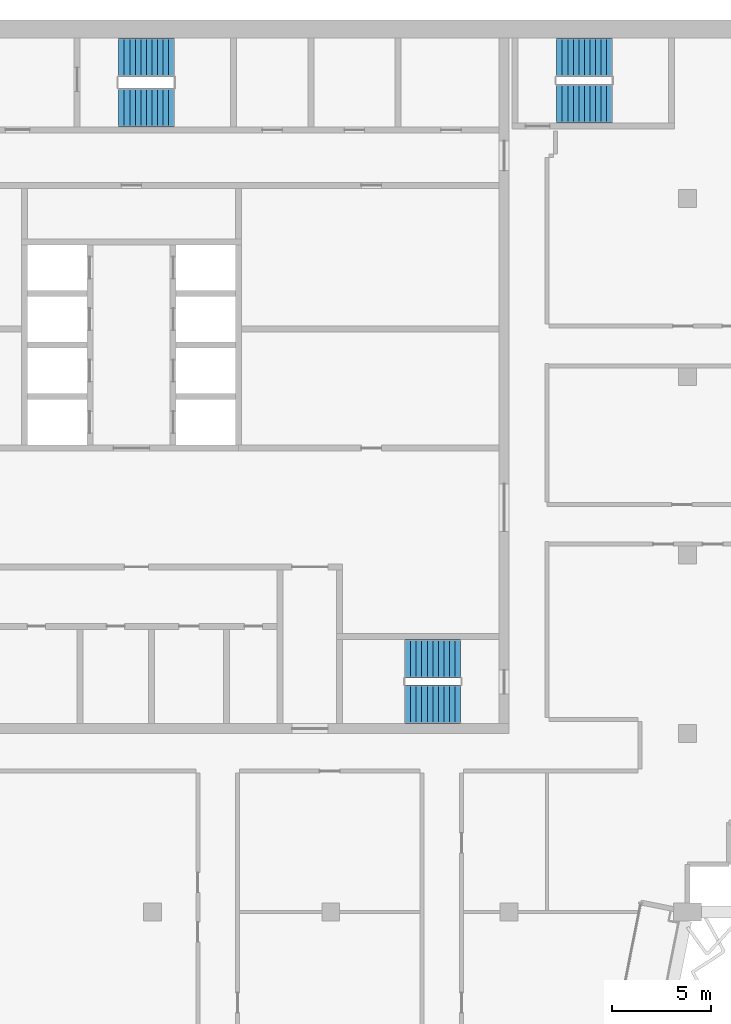
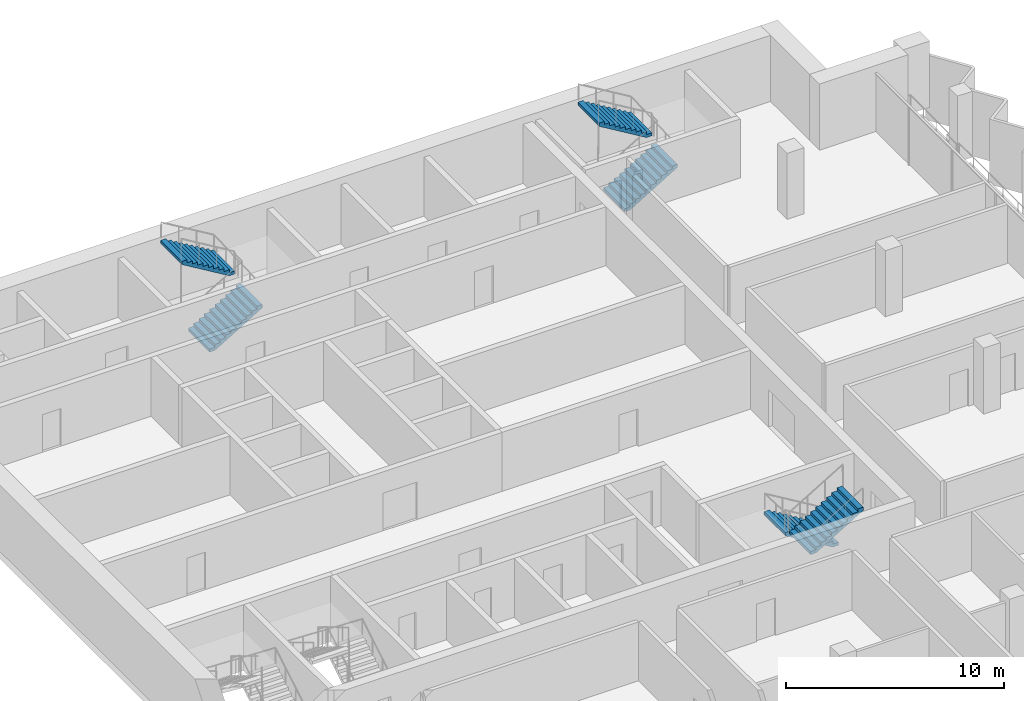
# One storey, part 11 of 14: 6 stair flights, 3 elements without a shape of their own.
"""IFC4 building model written with IfcOpenShell, lengths in metres."""

from ifc_helpers import new_model, si_unit, direction, frame, origin, place, context, subcontext, project, spatial, polyline, outline, extrude, material, type_object, element, aggregate, save


model = new_model("IFC4")

# Units and contexts
model_context = context("Model", 3, precision=1e-05, world=origin(), true_north=direction((0.0, 1.0)))
body_context = subcontext(model_context, "Body", "Model", "MODEL_VIEW")
ifc_project = project(units=[si_unit("LENGTHUNIT", "METRE"), si_unit("AREAUNIT", "SQUARE_METRE"), si_unit("VOLUMEUNIT", "CUBIC_METRE"), si_unit("PLANEANGLEUNIT", "RADIAN"), si_unit("MASSUNIT", "GRAM", prefix="KILO")], contexts=[model_context])

# Site, building, storey
site_placement = place(None, origin())
site = spatial("IfcSite", under=ifc_project, at=site_placement, CompositionType="ELEMENT")
building_placement = place(site_placement, origin())
building = spatial("IfcBuilding", under=site, at=building_placement, Name="Hunhe Ridgeline Campus", CompositionType="ELEMENT")
storey_placement = place(building_placement, frame((0.0, 0.0, 284.5)))
storey = spatial("IfcBuildingStorey", under=building, at=storey_placement, Name="L73", CompositionType="ELEMENT", Elevation=284.5)

# Stair, stair flights
ifc_material = material(Name="Concrete C40", Category="concrete")
stair_type = type_object("IfcStairType", Name="Reinforced concrete dog-leg stair 1950 Concrete C40", PredefinedType="HALF_TURN_STAIR", material=ifc_material)
stair_1_placement = place(storey_placement, origin())
stair_1 = element("IfcStair", 1, at=stair_1_placement, inside=storey, type_object=stair_type, Name="L73 S1", PredefinedType="HALF_TURN_STAIR")
stair_flight_type = type_object("IfcStairFlightType", Name="Reinforced concrete stair flight 1950 Concrete C40", PredefinedType="STRAIGHT", material=ifc_material)
stair_flight_1_placement = place(storey_placement, frame((16.300048828125, 94.574951171875, 0.0), z_axis=(0.0, 0.0, 1.0), x_axis=(1.0, 0.0, 0.0)))
stair_flight_1 = element("IfcStairFlight", 2, at=stair_flight_1_placement, type_object=stair_flight_type, Name="ST1 flight 1", NumberOfRisers=11, NumberOfTreads=10, PredefinedType="STRAIGHT", RiserHeight=0.168181818, TreadLength=0.28, context=body_context, shape_type="SweptSolid", body=[
    extrude(outline(polyline([(0.0, 0.0), (0.0, 0.168212890625), (0.280029296875, 0.168212890625), (0.280029296875, 0.33642578125), (0.56005859375, 0.33642578125), (0.56005859375, 0.504638671875), (0.840087890625, 0.504638671875), (0.840087890625, 0.672607421875), (1.1201171875, 0.672607421875), (1.1201171875, 0.8408203125), (1.39990234375, 0.8408203125), (1.39990234375, 1.009033203125), (1.679931640625, 1.009033203125), (1.679931640625, 1.17724609375), (1.9599609375, 1.17724609375), (1.9599609375, 1.345458984375), (2.239990234375, 1.345458984375), (2.239990234375, 1.513671875), (2.52001953125, 1.513671875), (2.52001953125, 1.681884765625), (2.800048828125, 1.681884765625), (2.800048828125, 1.85009765625), (2.800048828125, 1.5068359375), (0.291015625, 0.0), (0.0, 0.0)])), frame((0.0, 0.97509765625, 0.0), z_axis=(0.0, -1.0, 0.0), x_axis=(1.0, 0.0, 0.0)), (0.0, 0.0, 1.0), 1.949951171875),
    extrude(outline(polyline([(0.030029296875, 0.030029296875), (0.030029296875, 0.13818359375), (0.31005859375, 0.13818359375), (0.31005859375, 0.306396484375), (0.590087890625, 0.306396484375), (0.590087890625, 0.474609375), (0.8701171875, 0.474609375), (0.8701171875, 0.642578125), (1.14990234375, 0.642578125), (1.14990234375, 0.810791015625), (1.429931640625, 0.810791015625), (1.429931640625, 0.97900390625), (1.7099609375, 0.97900390625), (1.7099609375, 1.147216796875), (1.989990234375, 1.147216796875), (1.989990234375, 1.3154296875), (2.27001953125, 1.3154296875), (2.27001953125, 1.483642578125), (2.550048828125, 1.483642578125), (2.550048828125, 1.65185546875), (2.77001953125, 1.65185546875), (2.77001953125, 1.52392578125), (0.28271484375, 0.030029296875), (0.030029296875, 0.030029296875)])), frame((0.0, -0.070068359375, 0.0), z_axis=(0.0, -1.0, 0.0), x_axis=(1.0, 0.0, 0.0)), (0.0, 0.0, 1.0), 0.019775390625),
    extrude(outline(polyline([(0.030029296875, 0.030029296875), (0.030029296875, 0.13818359375), (0.31005859375, 0.13818359375), (0.31005859375, 0.306396484375), (0.590087890625, 0.306396484375), (0.590087890625, 0.474609375), (0.8701171875, 0.474609375), (0.8701171875, 0.642578125), (1.14990234375, 0.642578125), (1.14990234375, 0.810791015625), (1.429931640625, 0.810791015625), (1.429931640625, 0.97900390625), (1.7099609375, 0.97900390625), (1.7099609375, 1.147216796875), (1.989990234375, 1.147216796875), (1.989990234375, 1.3154296875), (2.27001953125, 1.3154296875), (2.27001953125, 1.483642578125), (2.550048828125, 1.483642578125), (2.550048828125, 1.65185546875), (2.77001953125, 1.65185546875), (2.77001953125, 1.52392578125), (0.28271484375, 0.030029296875), (0.030029296875, 0.030029296875)])), frame((0.0, 0.010009765625, 0.0), z_axis=(0.0, -1.0, 0.0), x_axis=(1.0, 0.0, 0.0)), (0.0, 0.0, 1.0), 0.019775390625),
    extrude(outline(polyline([(0.030029296875, 0.030029296875), (0.030029296875, 0.13818359375), (0.31005859375, 0.13818359375), (0.31005859375, 0.306396484375), (0.590087890625, 0.306396484375), (0.590087890625, 0.474609375), (0.8701171875, 0.474609375), (0.8701171875, 0.642578125), (1.14990234375, 0.642578125), (1.14990234375, 0.810791015625), (1.429931640625, 0.810791015625), (1.429931640625, 0.97900390625), (1.7099609375, 0.97900390625), (1.7099609375, 1.147216796875), (1.989990234375, 1.147216796875), (1.989990234375, 1.3154296875), (2.27001953125, 1.3154296875), (2.27001953125, 1.483642578125), (2.550048828125, 1.483642578125), (2.550048828125, 1.65185546875), (2.77001953125, 1.65185546875), (2.77001953125, 1.52392578125), (0.28271484375, 0.030029296875), (0.030029296875, 0.030029296875)])), frame((0.0, 0.090087890625, 0.0), z_axis=(0.0, -1.0, 0.0), x_axis=(1.0, 0.0, 0.0)), (0.0, 0.0, 1.0), 0.019775390625),
])
stair_flight_2_placement = place(storey_placement, frame((19.10009765625, 97.125, 1.85009765625), z_axis=(0.0, 0.0, 1.0), x_axis=(-1.0, 0.0, 0.0)))
stair_flight_2 = element("IfcStairFlight", 3, at=stair_flight_2_placement, type_object=stair_flight_type, Name="ST1 flight 2", NumberOfRisers=11, NumberOfTreads=10, PredefinedType="STRAIGHT", RiserHeight=0.168181818, TreadLength=0.28, context=body_context, shape_type="SweptSolid", body=[
    extrude(outline(polyline([(0.0, 0.0), (0.0, 0.168212890625), (0.280029296875, 0.168212890625), (0.280029296875, 0.33642578125), (0.56005859375, 0.33642578125), (0.56005859375, 0.504638671875), (0.840087890625, 0.504638671875), (0.840087890625, 0.672607421875), (1.1201171875, 0.672607421875), (1.1201171875, 0.8408203125), (1.39990234375, 0.8408203125), (1.39990234375, 1.009033203125), (1.679931640625, 1.009033203125), (1.679931640625, 1.17724609375), (1.9599609375, 1.17724609375), (1.9599609375, 1.345458984375), (2.239990234375, 1.345458984375), (2.239990234375, 1.513671875), (2.52001953125, 1.513671875), (2.52001953125, 1.681884765625), (2.800048828125, 1.681884765625), (2.800048828125, 1.85009765625), (2.800048828125, 1.5068359375), (0.291015625, 0.0), (0.0, 0.0)])), frame((0.0, 0.97509765625, 0.0), z_axis=(0.0, -1.0, 0.0), x_axis=(1.0, 0.0, 0.0)), (0.0, 0.0, 1.0), 1.949951171875),
    extrude(outline(polyline([(0.030029296875, 0.030029296875), (0.030029296875, 0.13818359375), (0.31005859375, 0.13818359375), (0.31005859375, 0.306396484375), (0.590087890625, 0.306396484375), (0.590087890625, 0.474609375), (0.8701171875, 0.474609375), (0.8701171875, 0.642578125), (1.14990234375, 0.642578125), (1.14990234375, 0.810791015625), (1.429931640625, 0.810791015625), (1.429931640625, 0.97900390625), (1.7099609375, 0.97900390625), (1.7099609375, 1.147216796875), (1.989990234375, 1.147216796875), (1.989990234375, 1.3154296875), (2.27001953125, 1.3154296875), (2.27001953125, 1.483642578125), (2.550048828125, 1.483642578125), (2.550048828125, 1.65185546875), (2.77001953125, 1.65185546875), (2.77001953125, 1.52392578125), (0.28271484375, 0.030029296875), (0.030029296875, 0.030029296875)])), frame((0.0, -0.070068359375, 0.0), z_axis=(0.0, -1.0, 0.0), x_axis=(1.0, 0.0, 0.0)), (0.0, 0.0, 1.0), 0.019775390625),
    extrude(outline(polyline([(0.030029296875, 0.030029296875), (0.030029296875, 0.13818359375), (0.31005859375, 0.13818359375), (0.31005859375, 0.306396484375), (0.590087890625, 0.306396484375), (0.590087890625, 0.474609375), (0.8701171875, 0.474609375), (0.8701171875, 0.642578125), (1.14990234375, 0.642578125), (1.14990234375, 0.810791015625), (1.429931640625, 0.810791015625), (1.429931640625, 0.97900390625), (1.7099609375, 0.97900390625), (1.7099609375, 1.147216796875), (1.989990234375, 1.147216796875), (1.989990234375, 1.3154296875), (2.27001953125, 1.3154296875), (2.27001953125, 1.483642578125), (2.550048828125, 1.483642578125), (2.550048828125, 1.65185546875), (2.77001953125, 1.65185546875), (2.77001953125, 1.52392578125), (0.28271484375, 0.030029296875), (0.030029296875, 0.030029296875)])), frame((0.0, 0.010009765625, 0.0), z_axis=(0.0, -1.0, 0.0), x_axis=(1.0, 0.0, 0.0)), (0.0, 0.0, 1.0), 0.019775390625),
    extrude(outline(polyline([(0.030029296875, 0.030029296875), (0.030029296875, 0.13818359375), (0.31005859375, 0.13818359375), (0.31005859375, 0.306396484375), (0.590087890625, 0.306396484375), (0.590087890625, 0.474609375), (0.8701171875, 0.474609375), (0.8701171875, 0.642578125), (1.14990234375, 0.642578125), (1.14990234375, 0.810791015625), (1.429931640625, 0.810791015625), (1.429931640625, 0.97900390625), (1.7099609375, 0.97900390625), (1.7099609375, 1.147216796875), (1.989990234375, 1.147216796875), (1.989990234375, 1.3154296875), (2.27001953125, 1.3154296875), (2.27001953125, 1.483642578125), (2.550048828125, 1.483642578125), (2.550048828125, 1.65185546875), (2.77001953125, 1.65185546875), (2.77001953125, 1.52392578125), (0.28271484375, 0.030029296875), (0.030029296875, 0.030029296875)])), frame((0.0, 0.090087890625, 0.0), z_axis=(0.0, -1.0, 0.0), x_axis=(1.0, 0.0, 0.0)), (0.0, 0.0, 1.0), 0.019775390625),
])
aggregate(stair_1, [stair_flight_1, stair_flight_2])

stair_2_placement = place(storey_placement, origin())
stair_2 = element("IfcStair", 4, at=stair_2_placement, inside=storey, type_object=stair_type, Name="L73 S2", PredefinedType="HALF_TURN_STAIR")
stair_flight_3_placement = place(storey_placement, frame((33.550048828125, 66.77490234375, 0.0), z_axis=(0.0, 0.0, 1.0), x_axis=(-1.0, 0.0, 0.0)))
stair_flight_3 = element("IfcStairFlight", 5, at=stair_flight_3_placement, type_object=stair_flight_type, Name="ST2 flight 1", NumberOfRisers=11, NumberOfTreads=10, PredefinedType="STRAIGHT", RiserHeight=0.168181818, TreadLength=0.28, context=body_context, shape_type="SweptSolid", body=[
    extrude(outline(polyline([(0.0, 0.0), (0.0, 0.168212890625), (0.280029296875, 0.168212890625), (0.280029296875, 0.33642578125), (0.56005859375, 0.33642578125), (0.56005859375, 0.504638671875), (0.840087890625, 0.504638671875), (0.840087890625, 0.672607421875), (1.1201171875, 0.672607421875), (1.1201171875, 0.8408203125), (1.39990234375, 0.8408203125), (1.39990234375, 1.009033203125), (1.679931640625, 1.009033203125), (1.679931640625, 1.17724609375), (1.9599609375, 1.17724609375), (1.9599609375, 1.345458984375), (2.239990234375, 1.345458984375), (2.239990234375, 1.513671875), (2.52001953125, 1.513671875), (2.52001953125, 1.681884765625), (2.800048828125, 1.681884765625), (2.800048828125, 1.85009765625), (2.800048828125, 1.5068359375), (0.291015625, 0.0), (0.0, 0.0)])), frame((0.0, 0.97509765625, 0.0), z_axis=(0.0, -1.0, 0.0), x_axis=(1.0, 0.0, 0.0)), (0.0, 0.0, 1.0), 1.949951171875),
    extrude(outline(polyline([(0.030029296875, 0.030029296875), (0.030029296875, 0.13818359375), (0.31005859375, 0.13818359375), (0.31005859375, 0.306396484375), (0.590087890625, 0.306396484375), (0.590087890625, 0.474609375), (0.8701171875, 0.474609375), (0.8701171875, 0.642578125), (1.14990234375, 0.642578125), (1.14990234375, 0.810791015625), (1.429931640625, 0.810791015625), (1.429931640625, 0.97900390625), (1.7099609375, 0.97900390625), (1.7099609375, 1.147216796875), (1.989990234375, 1.147216796875), (1.989990234375, 1.3154296875), (2.27001953125, 1.3154296875), (2.27001953125, 1.483642578125), (2.550048828125, 1.483642578125), (2.550048828125, 1.65185546875), (2.77001953125, 1.65185546875), (2.77001953125, 1.52392578125), (0.28271484375, 0.030029296875), (0.030029296875, 0.030029296875)])), frame((0.0, -0.070068359375, 0.0), z_axis=(0.0, -1.0, 0.0), x_axis=(1.0, 0.0, 0.0)), (0.0, 0.0, 1.0), 0.019775390625),
    extrude(outline(polyline([(0.030029296875, 0.030029296875), (0.030029296875, 0.13818359375), (0.31005859375, 0.13818359375), (0.31005859375, 0.306396484375), (0.590087890625, 0.306396484375), (0.590087890625, 0.474609375), (0.8701171875, 0.474609375), (0.8701171875, 0.642578125), (1.14990234375, 0.642578125), (1.14990234375, 0.810791015625), (1.429931640625, 0.810791015625), (1.429931640625, 0.97900390625), (1.7099609375, 0.97900390625), (1.7099609375, 1.147216796875), (1.989990234375, 1.147216796875), (1.989990234375, 1.3154296875), (2.27001953125, 1.3154296875), (2.27001953125, 1.483642578125), (2.550048828125, 1.483642578125), (2.550048828125, 1.65185546875), (2.77001953125, 1.65185546875), (2.77001953125, 1.52392578125), (0.28271484375, 0.030029296875), (0.030029296875, 0.030029296875)])), frame((0.0, 0.010009765625, 0.0), z_axis=(0.0, -1.0, 0.0), x_axis=(1.0, 0.0, 0.0)), (0.0, 0.0, 1.0), 0.019775390625),
    extrude(outline(polyline([(0.030029296875, 0.030029296875), (0.030029296875, 0.13818359375), (0.31005859375, 0.13818359375), (0.31005859375, 0.306396484375), (0.590087890625, 0.306396484375), (0.590087890625, 0.474609375), (0.8701171875, 0.474609375), (0.8701171875, 0.642578125), (1.14990234375, 0.642578125), (1.14990234375, 0.810791015625), (1.429931640625, 0.810791015625), (1.429931640625, 0.97900390625), (1.7099609375, 0.97900390625), (1.7099609375, 1.147216796875), (1.989990234375, 1.147216796875), (1.989990234375, 1.3154296875), (2.27001953125, 1.3154296875), (2.27001953125, 1.483642578125), (2.550048828125, 1.483642578125), (2.550048828125, 1.65185546875), (2.77001953125, 1.65185546875), (2.77001953125, 1.52392578125), (0.28271484375, 0.030029296875), (0.030029296875, 0.030029296875)])), frame((0.0, 0.090087890625, 0.0), z_axis=(0.0, -1.0, 0.0), x_axis=(1.0, 0.0, 0.0)), (0.0, 0.0, 1.0), 0.019775390625),
])
stair_flight_4_placement = place(storey_placement, frame((30.75, 64.47509765625, 1.85009765625), z_axis=(0.0, 0.0, 1.0), x_axis=(1.0, 0.0, 0.0)))
stair_flight_4 = element("IfcStairFlight", 6, at=stair_flight_4_placement, type_object=stair_flight_type, Name="ST2 flight 2", NumberOfRisers=11, NumberOfTreads=10, PredefinedType="STRAIGHT", RiserHeight=0.168181818, TreadLength=0.28, context=body_context, shape_type="SweptSolid", body=[
    extrude(outline(polyline([(0.0, 0.0), (0.0, 0.168212890625), (0.280029296875, 0.168212890625), (0.280029296875, 0.33642578125), (0.56005859375, 0.33642578125), (0.56005859375, 0.504638671875), (0.840087890625, 0.504638671875), (0.840087890625, 0.672607421875), (1.1201171875, 0.672607421875), (1.1201171875, 0.8408203125), (1.39990234375, 0.8408203125), (1.39990234375, 1.009033203125), (1.679931640625, 1.009033203125), (1.679931640625, 1.17724609375), (1.9599609375, 1.17724609375), (1.9599609375, 1.345458984375), (2.239990234375, 1.345458984375), (2.239990234375, 1.513671875), (2.52001953125, 1.513671875), (2.52001953125, 1.681884765625), (2.800048828125, 1.681884765625), (2.800048828125, 1.85009765625), (2.800048828125, 1.5068359375), (0.291015625, 0.0), (0.0, 0.0)])), frame((0.0, 0.97509765625, 0.0), z_axis=(0.0, -1.0, 0.0), x_axis=(1.0, 0.0, 0.0)), (0.0, 0.0, 1.0), 1.949951171875),
    extrude(outline(polyline([(0.030029296875, 0.030029296875), (0.030029296875, 0.13818359375), (0.31005859375, 0.13818359375), (0.31005859375, 0.306396484375), (0.590087890625, 0.306396484375), (0.590087890625, 0.474609375), (0.8701171875, 0.474609375), (0.8701171875, 0.642578125), (1.14990234375, 0.642578125), (1.14990234375, 0.810791015625), (1.429931640625, 0.810791015625), (1.429931640625, 0.97900390625), (1.7099609375, 0.97900390625), (1.7099609375, 1.147216796875), (1.989990234375, 1.147216796875), (1.989990234375, 1.3154296875), (2.27001953125, 1.3154296875), (2.27001953125, 1.483642578125), (2.550048828125, 1.483642578125), (2.550048828125, 1.65185546875), (2.77001953125, 1.65185546875), (2.77001953125, 1.52392578125), (0.28271484375, 0.030029296875), (0.030029296875, 0.030029296875)])), frame((0.0, -0.070068359375, 0.0), z_axis=(0.0, -1.0, 0.0), x_axis=(1.0, 0.0, 0.0)), (0.0, 0.0, 1.0), 0.019775390625),
    extrude(outline(polyline([(0.030029296875, 0.030029296875), (0.030029296875, 0.13818359375), (0.31005859375, 0.13818359375), (0.31005859375, 0.306396484375), (0.590087890625, 0.306396484375), (0.590087890625, 0.474609375), (0.8701171875, 0.474609375), (0.8701171875, 0.642578125), (1.14990234375, 0.642578125), (1.14990234375, 0.810791015625), (1.429931640625, 0.810791015625), (1.429931640625, 0.97900390625), (1.7099609375, 0.97900390625), (1.7099609375, 1.147216796875), (1.989990234375, 1.147216796875), (1.989990234375, 1.3154296875), (2.27001953125, 1.3154296875), (2.27001953125, 1.483642578125), (2.550048828125, 1.483642578125), (2.550048828125, 1.65185546875), (2.77001953125, 1.65185546875), (2.77001953125, 1.52392578125), (0.28271484375, 0.030029296875), (0.030029296875, 0.030029296875)])), frame((0.0, 0.010009765625, 0.0), z_axis=(0.0, -1.0, 0.0), x_axis=(1.0, 0.0, 0.0)), (0.0, 0.0, 1.0), 0.019775390625),
    extrude(outline(polyline([(0.030029296875, 0.030029296875), (0.030029296875, 0.13818359375), (0.31005859375, 0.13818359375), (0.31005859375, 0.306396484375), (0.590087890625, 0.306396484375), (0.590087890625, 0.474609375), (0.8701171875, 0.474609375), (0.8701171875, 0.642578125), (1.14990234375, 0.642578125), (1.14990234375, 0.810791015625), (1.429931640625, 0.810791015625), (1.429931640625, 0.97900390625), (1.7099609375, 0.97900390625), (1.7099609375, 1.147216796875), (1.989990234375, 1.147216796875), (1.989990234375, 1.3154296875), (2.27001953125, 1.3154296875), (2.27001953125, 1.483642578125), (2.550048828125, 1.483642578125), (2.550048828125, 1.65185546875), (2.77001953125, 1.65185546875), (2.77001953125, 1.52392578125), (0.28271484375, 0.030029296875), (0.030029296875, 0.030029296875)])), frame((0.0, 0.090087890625, 0.0), z_axis=(0.0, -1.0, 0.0), x_axis=(1.0, 0.0, 0.0)), (0.0, 0.0, 1.0), 0.019775390625),
])
aggregate(stair_2, [stair_flight_3, stair_flight_4])

stair_3_placement = place(storey_placement, origin())
stair_3 = element("IfcStair", 7, at=stair_3_placement, inside=storey, type_object=stair_type, Name="L73 E1", PredefinedType="HALF_TURN_STAIR")
stair_flight_5_placement = place(storey_placement, frame((38.39990234375, 94.77490234375, 0.0), z_axis=(0.0, 0.0, 1.0), x_axis=(1.0, 0.0, 0.0)))
stair_flight_5 = element("IfcStairFlight", 8, at=stair_flight_5_placement, type_object=stair_flight_type, Name="ST5 flight 1", NumberOfRisers=11, NumberOfTreads=10, PredefinedType="STRAIGHT", RiserHeight=0.168181818, TreadLength=0.28, context=body_context, shape_type="SweptSolid", body=[
    extrude(outline(polyline([(0.0, 0.0), (0.0, 0.168212890625), (0.280029296875, 0.168212890625), (0.280029296875, 0.33642578125), (0.56005859375, 0.33642578125), (0.56005859375, 0.504638671875), (0.840087890625, 0.504638671875), (0.840087890625, 0.672607421875), (1.1201171875, 0.672607421875), (1.1201171875, 0.8408203125), (1.39990234375, 0.8408203125), (1.39990234375, 1.009033203125), (1.679931640625, 1.009033203125), (1.679931640625, 1.17724609375), (1.9599609375, 1.17724609375), (1.9599609375, 1.345458984375), (2.239990234375, 1.345458984375), (2.239990234375, 1.513671875), (2.52001953125, 1.513671875), (2.52001953125, 1.681884765625), (2.800048828125, 1.681884765625), (2.800048828125, 1.85009765625), (2.800048828125, 1.5068359375), (0.291015625, 0.0), (0.0, 0.0)])), frame((0.0, 0.97509765625, 0.0), z_axis=(0.0, -1.0, 0.0), x_axis=(1.0, 0.0, 0.0)), (0.0, 0.0, 1.0), 1.949951171875),
    extrude(outline(polyline([(0.030029296875, 0.030029296875), (0.030029296875, 0.13818359375), (0.31005859375, 0.13818359375), (0.31005859375, 0.306396484375), (0.590087890625, 0.306396484375), (0.590087890625, 0.474609375), (0.8701171875, 0.474609375), (0.8701171875, 0.642578125), (1.14990234375, 0.642578125), (1.14990234375, 0.810791015625), (1.429931640625, 0.810791015625), (1.429931640625, 0.97900390625), (1.7099609375, 0.97900390625), (1.7099609375, 1.147216796875), (1.989990234375, 1.147216796875), (1.989990234375, 1.3154296875), (2.27001953125, 1.3154296875), (2.27001953125, 1.483642578125), (2.550048828125, 1.483642578125), (2.550048828125, 1.65185546875), (2.77001953125, 1.65185546875), (2.77001953125, 1.52392578125), (0.28271484375, 0.030029296875), (0.030029296875, 0.030029296875)])), frame((0.0, -0.070068359375, 0.0), z_axis=(0.0, -1.0, 0.0), x_axis=(1.0, 0.0, 0.0)), (0.0, 0.0, 1.0), 0.019775390625),
    extrude(outline(polyline([(0.030029296875, 0.030029296875), (0.030029296875, 0.13818359375), (0.31005859375, 0.13818359375), (0.31005859375, 0.306396484375), (0.590087890625, 0.306396484375), (0.590087890625, 0.474609375), (0.8701171875, 0.474609375), (0.8701171875, 0.642578125), (1.14990234375, 0.642578125), (1.14990234375, 0.810791015625), (1.429931640625, 0.810791015625), (1.429931640625, 0.97900390625), (1.7099609375, 0.97900390625), (1.7099609375, 1.147216796875), (1.989990234375, 1.147216796875), (1.989990234375, 1.3154296875), (2.27001953125, 1.3154296875), (2.27001953125, 1.483642578125), (2.550048828125, 1.483642578125), (2.550048828125, 1.65185546875), (2.77001953125, 1.65185546875), (2.77001953125, 1.52392578125), (0.28271484375, 0.030029296875), (0.030029296875, 0.030029296875)])), frame((0.0, 0.010009765625, 0.0), z_axis=(0.0, -1.0, 0.0), x_axis=(1.0, 0.0, 0.0)), (0.0, 0.0, 1.0), 0.019775390625),
    extrude(outline(polyline([(0.030029296875, 0.030029296875), (0.030029296875, 0.13818359375), (0.31005859375, 0.13818359375), (0.31005859375, 0.306396484375), (0.590087890625, 0.306396484375), (0.590087890625, 0.474609375), (0.8701171875, 0.474609375), (0.8701171875, 0.642578125), (1.14990234375, 0.642578125), (1.14990234375, 0.810791015625), (1.429931640625, 0.810791015625), (1.429931640625, 0.97900390625), (1.7099609375, 0.97900390625), (1.7099609375, 1.147216796875), (1.989990234375, 1.147216796875), (1.989990234375, 1.3154296875), (2.27001953125, 1.3154296875), (2.27001953125, 1.483642578125), (2.550048828125, 1.483642578125), (2.550048828125, 1.65185546875), (2.77001953125, 1.65185546875), (2.77001953125, 1.52392578125), (0.28271484375, 0.030029296875), (0.030029296875, 0.030029296875)])), frame((0.0, 0.090087890625, 0.0), z_axis=(0.0, -1.0, 0.0), x_axis=(1.0, 0.0, 0.0)), (0.0, 0.0, 1.0), 0.019775390625),
])
stair_flight_6_placement = place(storey_placement, frame((41.199951171875, 97.125, 1.85009765625), z_axis=(0.0, 0.0, 1.0), x_axis=(-1.0, 0.0, 0.0)))
stair_flight_6 = element("IfcStairFlight", 9, at=stair_flight_6_placement, type_object=stair_flight_type, Name="ST5 flight 2", NumberOfRisers=11, NumberOfTreads=10, PredefinedType="STRAIGHT", RiserHeight=0.168181818, TreadLength=0.28, context=body_context, shape_type="SweptSolid", body=[
    extrude(outline(polyline([(0.0, 0.0), (0.0, 0.168212890625), (0.280029296875, 0.168212890625), (0.280029296875, 0.33642578125), (0.56005859375, 0.33642578125), (0.56005859375, 0.504638671875), (0.840087890625, 0.504638671875), (0.840087890625, 0.672607421875), (1.1201171875, 0.672607421875), (1.1201171875, 0.8408203125), (1.39990234375, 0.8408203125), (1.39990234375, 1.009033203125), (1.679931640625, 1.009033203125), (1.679931640625, 1.17724609375), (1.9599609375, 1.17724609375), (1.9599609375, 1.345458984375), (2.239990234375, 1.345458984375), (2.239990234375, 1.513671875), (2.52001953125, 1.513671875), (2.52001953125, 1.681884765625), (2.800048828125, 1.681884765625), (2.800048828125, 1.85009765625), (2.800048828125, 1.5068359375), (0.291015625, 0.0), (0.0, 0.0)])), frame((0.0, 0.97509765625, 0.0), z_axis=(0.0, -1.0, 0.0), x_axis=(1.0, 0.0, 0.0)), (0.0, 0.0, 1.0), 1.949951171875),
    extrude(outline(polyline([(0.030029296875, 0.030029296875), (0.030029296875, 0.13818359375), (0.31005859375, 0.13818359375), (0.31005859375, 0.306396484375), (0.590087890625, 0.306396484375), (0.590087890625, 0.474609375), (0.8701171875, 0.474609375), (0.8701171875, 0.642578125), (1.14990234375, 0.642578125), (1.14990234375, 0.810791015625), (1.429931640625, 0.810791015625), (1.429931640625, 0.97900390625), (1.7099609375, 0.97900390625), (1.7099609375, 1.147216796875), (1.989990234375, 1.147216796875), (1.989990234375, 1.3154296875), (2.27001953125, 1.3154296875), (2.27001953125, 1.483642578125), (2.550048828125, 1.483642578125), (2.550048828125, 1.65185546875), (2.77001953125, 1.65185546875), (2.77001953125, 1.52392578125), (0.28271484375, 0.030029296875), (0.030029296875, 0.030029296875)])), frame((0.0, -0.070068359375, 0.0), z_axis=(0.0, -1.0, 0.0), x_axis=(1.0, 0.0, 0.0)), (0.0, 0.0, 1.0), 0.019775390625),
    extrude(outline(polyline([(0.030029296875, 0.030029296875), (0.030029296875, 0.13818359375), (0.31005859375, 0.13818359375), (0.31005859375, 0.306396484375), (0.590087890625, 0.306396484375), (0.590087890625, 0.474609375), (0.8701171875, 0.474609375), (0.8701171875, 0.642578125), (1.14990234375, 0.642578125), (1.14990234375, 0.810791015625), (1.429931640625, 0.810791015625), (1.429931640625, 0.97900390625), (1.7099609375, 0.97900390625), (1.7099609375, 1.147216796875), (1.989990234375, 1.147216796875), (1.989990234375, 1.3154296875), (2.27001953125, 1.3154296875), (2.27001953125, 1.483642578125), (2.550048828125, 1.483642578125), (2.550048828125, 1.65185546875), (2.77001953125, 1.65185546875), (2.77001953125, 1.52392578125), (0.28271484375, 0.030029296875), (0.030029296875, 0.030029296875)])), frame((0.0, 0.010009765625, 0.0), z_axis=(0.0, -1.0, 0.0), x_axis=(1.0, 0.0, 0.0)), (0.0, 0.0, 1.0), 0.019775390625),
    extrude(outline(polyline([(0.030029296875, 0.030029296875), (0.030029296875, 0.13818359375), (0.31005859375, 0.13818359375), (0.31005859375, 0.306396484375), (0.590087890625, 0.306396484375), (0.590087890625, 0.474609375), (0.8701171875, 0.474609375), (0.8701171875, 0.642578125), (1.14990234375, 0.642578125), (1.14990234375, 0.810791015625), (1.429931640625, 0.810791015625), (1.429931640625, 0.97900390625), (1.7099609375, 0.97900390625), (1.7099609375, 1.147216796875), (1.989990234375, 1.147216796875), (1.989990234375, 1.3154296875), (2.27001953125, 1.3154296875), (2.27001953125, 1.483642578125), (2.550048828125, 1.483642578125), (2.550048828125, 1.65185546875), (2.77001953125, 1.65185546875), (2.77001953125, 1.52392578125), (0.28271484375, 0.030029296875), (0.030029296875, 0.030029296875)])), frame((0.0, 0.090087890625, 0.0), z_axis=(0.0, -1.0, 0.0), x_axis=(1.0, 0.0, 0.0)), (0.0, 0.0, 1.0), 0.019775390625),
])
aggregate(stair_3, [stair_flight_5, stair_flight_6])

save(model, "model.ifc")
